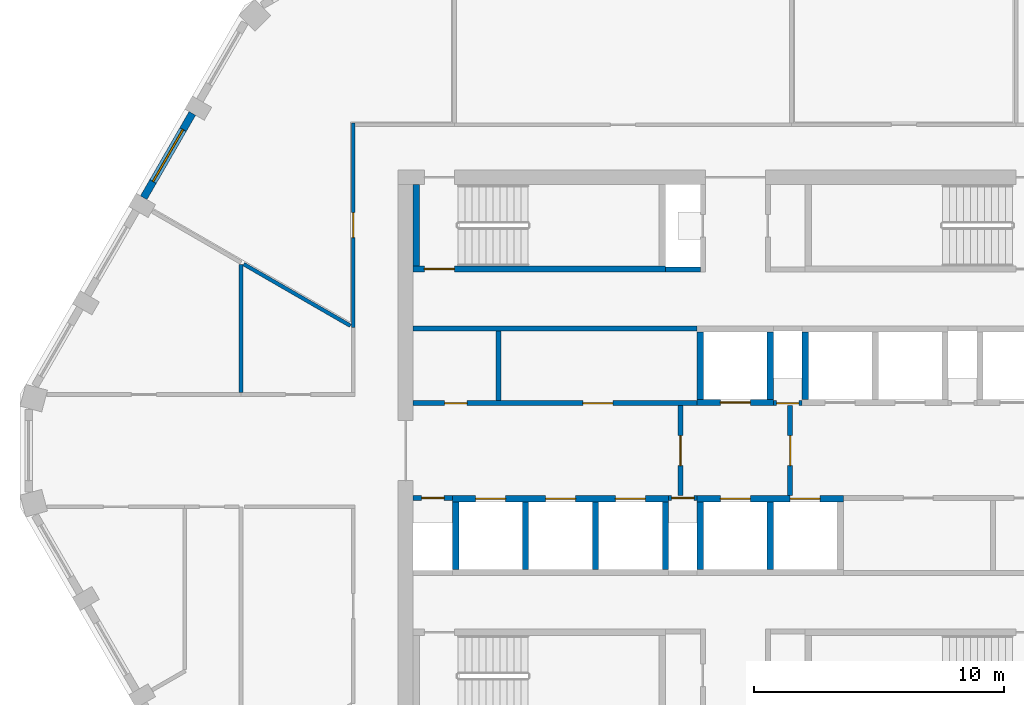
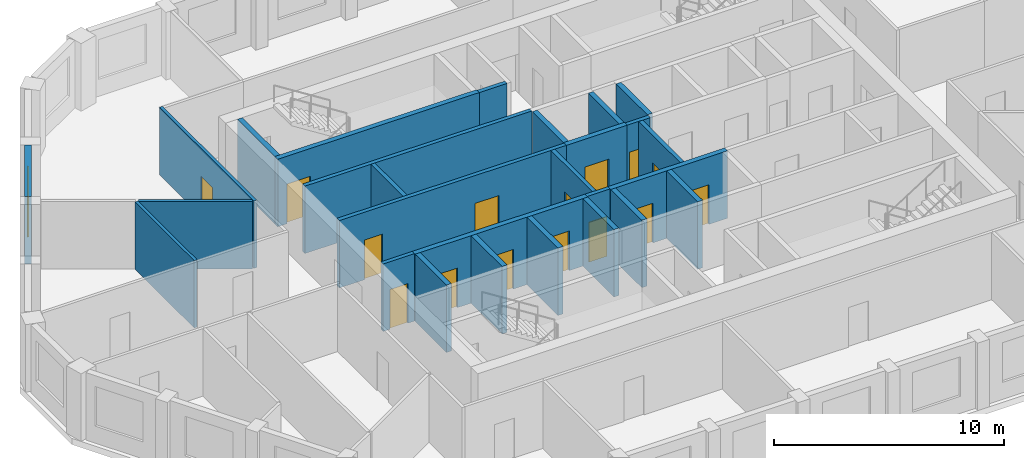
# One storey, part 3 of 10: 27 walls, 15 doors, 1 window, 16 openings.
"""IFC4 building model written with IfcOpenShell, lengths in metres."""

from ifc_helpers import new_model, si_unit, direction, frame, frame_2d, origin, place, context, subcontext, project, spatial, polyline, rectangle, outline, extrude, material, layer, layer_set, type_object, element, fill, save


model = new_model("IFC4")

# Units and contexts
model_context = context("Model", 3, precision=1e-05, world=origin(), true_north=direction((0.0, 1.0)))
body_context = subcontext(model_context, "Body", "Model", "MODEL_VIEW")
ifc_project = project(units=[si_unit("LENGTHUNIT", "METRE"), si_unit("AREAUNIT", "SQUARE_METRE"), si_unit("VOLUMEUNIT", "CUBIC_METRE"), si_unit("PLANEANGLEUNIT", "RADIAN"), si_unit("MASSUNIT", "GRAM", prefix="KILO")], contexts=[model_context])

# Site, building, storey
site_placement = place(None, origin())
site = spatial("IfcSite", under=ifc_project, at=site_placement, CompositionType="ELEMENT")
building_placement = place(site_placement, origin())
building = spatial("IfcBuilding", under=site, at=building_placement, Name="Dhurran Vertical Campus", CompositionType="ELEMENT")
storey_placement = place(building_placement, frame((0.0, 0.0, 302.10009765625)))
storey = spatial("IfcBuildingStorey", under=building, at=storey_placement, Name="L75", CompositionType="ELEMENT", Elevation=302.10009765625)

# Wall, opening, window
ifc_material_1 = material(Name="Precast concrete C50/60", Category="concrete")
ifc_layer_1 = layer(ifc_material_1, 0.300048828125)
ifc_layer_set_1 = layer_set([ifc_layer_1], Name="Precast concrete C50/60")
wall_type_1 = type_object("IfcWallType", Name="Precast spandrel wall 300", PredefinedType="SOLIDWALL", material=ifc_layer_set_1)
wall_1_placement = place(storey_placement, frame((-21.744384765625, 13.506103515625, 0.0), z_axis=(0.0, 0.0, 1.0), x_axis=(-0.499984428715, -0.866034393683, 0.0)))
wall_1 = element("IfcWall", 1, at=wall_1_placement, inside=storey, type_object=wall_type_1, Name="EW1 L75.27", PredefinedType="SOLIDWALL", context=body_context, shape_type="SweptSolid", body=[
    extrude(rectangle(XDim=3.89892578125, YDim=0.300048828125, at=frame_2d((1.949462890625, 0.0))), origin(), (0.0, 0.0, 1.0), 3.574951171875),
])
opening_1_placement = place(wall_1_placement, frame((0.74951171875, 0.0, 0.89990234375)))
opening_1 = element("IfcOpeningElement", 2, at=opening_1_placement, cuts=wall_1, Name="Opening WT1", PredefinedType="OPENING", context=body_context, shape_type="SweptSolid", body=[
    extrude(rectangle(XDim=2.39990234375, YDim=2.10009765625, at=frame_2d((1.199951171875, 1.050048828125))), frame((0.0, 0.159912109375, 0.0), z_axis=(0.0, -1.0, 0.0), x_axis=(1.0, 0.0, 0.0)), (0.0, 0.0, 1.0), 0.320068359375),
])
ifc_material_2 = material(Name="Aluminium frame with solar-control glass", Category="aluminium")
window_type = type_object("IfcWindowType", Name="Punched window 2400 x 2100", PartitioningType="SINGLE_PANEL", PredefinedType="WINDOW", material=ifc_material_2)
window_placement = place(opening_1_placement, origin())
window = element("IfcWindow", 3, at=window_placement, inside=storey, type_object=window_type, Name="WT1 L75.27", OverallHeight=2.10009765625, OverallWidth=2.39990234375, PartitioningType="SINGLE_PANEL", PredefinedType="WINDOW", context=body_context, shape_type="SweptSolid", body=[
    extrude(rectangle(XDim=2.39990234375, YDim=2.10009765625, at=frame_2d((1.199951171875, 1.050048828125))), frame((0.0, 0.030029296875, 0.0), z_axis=(0.0, -1.0, 0.0), x_axis=(1.0, 0.0, 0.0)), (0.0, 0.0, 1.0), 0.06005859375),
])
fill(opening_1, window)

# Wall, opening, door
ifc_material_3 = material(Name="Fire-rated masonry blockwork", Category="masonry")
ifc_layer_2 = layer(ifc_material_3, 0.199951171875)
ifc_layer_set_2 = layer_set([ifc_layer_2], Name="Fire-rated masonry blockwork")
wall_type_2 = type_object("IfcWallType", Name="co-FIRE-PARTITION-200", PredefinedType="PARTITIONING", material=ifc_layer_set_2)
wall_2_placement = place(storey_placement, frame((-2.199951171875, -1.800048828125, 0.0), z_axis=(0.0, 0.0, 1.0), x_axis=(0.0, 1.0, 0.0)))
wall_2 = element("IfcWall", 4, at=wall_2_placement, inside=storey, type_object=wall_type_2, Name="Firefighting lobby wall W L75", PredefinedType="PARTITIONING", context=body_context, shape_type="SweptSolid", body=[
    extrude(rectangle(XDim=3.60009765625, YDim=0.199951171875, at=frame_2d((1.800048828125, 0.0))), origin(), (0.0, 0.0, 1.0), 3.574951171875),
])
opening_2_placement = place(wall_2_placement, frame((1.199951171875, 0.0, 0.0)))
opening_2 = element("IfcOpeningElement", 5, at=opening_2_placement, cuts=wall_2, Name="Opening FL1", PredefinedType="OPENING", context=body_context, shape_type="SweptSolid", body=[
    extrude(rectangle(XDim=1.199951171875, YDim=2.10009765625, at=frame_2d((0.60009765625, 1.050048828125))), frame((0.0, 0.10986328125, 0.0), z_axis=(0.0, -1.0, 0.0), x_axis=(1.0, 0.0, 0.0)), (0.0, 0.0, 1.0), 0.219970703125),
])
ifc_material_4 = material(Name="Fire-rated steel door set", Category="steel")
door_type_1 = type_object("IfcDoorType", Name="co-D-FFLOBBY 1200x2100", OperationType="SINGLE_SWING_LEFT", PredefinedType="DOOR", material=ifc_material_4)
door_1_placement = place(opening_2_placement, origin())
door_1 = element("IfcDoor", 6, at=door_1_placement, inside=storey, type_object=door_type_1, Name="Firefighting lobby door W L75", OperationType="SINGLE_SWING_LEFT", OverallHeight=2.10009765625, OverallWidth=1.199951171875, PredefinedType="DOOR", context=body_context, shape_type="SweptSolid", body=[
    extrude(rectangle(XDim=1.199951171875, YDim=2.10009765625, at=frame_2d((0.60009765625, 1.050048828125))), frame((0.0, 0.02490234375, 0.0), z_axis=(0.0, -1.0, 0.0), x_axis=(1.0, 0.0, 0.0)), (0.0, 0.0, 1.0), 0.050048828125),
])
fill(opening_2, door_1)

wall_3_placement = place(storey_placement, frame((2.199951171875, -1.800048828125, 0.0), z_axis=(0.0, 0.0, 1.0), x_axis=(0.0, 1.0, 0.0)))
wall_3 = element("IfcWall", 7, at=wall_3_placement, inside=storey, type_object=wall_type_2, Name="Firefighting lobby wall E L75", PredefinedType="PARTITIONING", context=body_context, shape_type="SweptSolid", body=[
    extrude(rectangle(XDim=3.60009765625, YDim=0.199951171875, at=frame_2d((1.800048828125, 0.0))), origin(), (0.0, 0.0, 1.0), 3.574951171875),
])
opening_3_placement = place(wall_3_placement, frame((1.199951171875, 0.0, 0.0)))
opening_3 = element("IfcOpeningElement", 8, at=opening_3_placement, cuts=wall_3, Name="Opening FL2", PredefinedType="OPENING", context=body_context, shape_type="SweptSolid", body=[
    extrude(rectangle(XDim=1.199951171875, YDim=2.10009765625, at=frame_2d((0.60009765625, 1.050048828125))), frame((0.0, 0.10986328125, 0.0), z_axis=(0.0, -1.0, 0.0), x_axis=(1.0, 0.0, 0.0)), (0.0, 0.0, 1.0), 0.219970703125),
])
door_2_placement = place(opening_3_placement, origin())
door_2 = element("IfcDoor", 9, at=door_2_placement, inside=storey, type_object=door_type_1, Name="Firefighting lobby door E L75", OperationType="SINGLE_SWING_LEFT", OverallHeight=2.10009765625, OverallWidth=1.199951171875, PredefinedType="DOOR", context=body_context, shape_type="SweptSolid", body=[
    extrude(rectangle(XDim=1.199951171875, YDim=2.10009765625, at=frame_2d((0.60009765625, 1.050048828125))), frame((0.0, 0.02490234375, 0.0), z_axis=(0.0, -1.0, 0.0), x_axis=(1.0, 0.0, 0.0)), (0.0, 0.0, 1.0), 0.050048828125),
])
fill(opening_3, door_2)

# Walls
wall_4_placement = place(storey_placement, frame((-2.800048828125, 7.25, 0.0), z_axis=(0.0, 0.0, 1.0), x_axis=(1.0, 0.0, 0.0)))
element("IfcWall", 10, at=wall_4_placement, inside=storey, type_object=wall_type_2, Name="Core partition sl-NW-S L75", PredefinedType="PARTITIONING", context=body_context, shape_type="SweptSolid", body=[
    extrude(rectangle(XDim=1.400146484375, YDim=0.199951171875, at=frame_2d((0.7001953125, 0.0))), origin(), (0.0, 0.0, 1.0), 3.574951171875),
])
wall_5_placement = place(storey_placement, frame((-9.487548828125, 2.0, 0.0), z_axis=(0.0, 0.0, 1.0), x_axis=(0.0, 1.0, 0.0)))
element("IfcWall", 11, at=wall_5_placement, inside=storey, type_object=wall_type_2, Name="Core partition fr-N0-cut0 L75", PredefinedType="PARTITIONING", context=body_context, shape_type="SweptSolid", body=[
    extrude(rectangle(XDim=2.800048828125, YDim=0.199951171875, at=frame_2d((1.39990234375, 0.0))), origin(), (0.0, 0.0, 1.0), 3.574951171875),
])

# Wall, openings, doors
wall_6_placement = place(storey_placement, frame((-12.89990234375, 1.89990234375, 0.0), z_axis=(0.0, 0.0, 1.0), x_axis=(1.0, 0.0, 0.0)))
wall_6 = element("IfcWall", 12, at=wall_6_placement, inside=storey, type_object=wall_type_2, Name="Core partition fr-N0-f L75", PredefinedType="PARTITIONING", context=body_context, shape_type="SweptSolid", body=[
    extrude(rectangle(XDim=11.375, YDim=0.199951171875, at=frame_2d((5.6875, 0.0))), origin(), (0.0, 0.0, 1.0), 3.574951171875),
])
opening_4_placement = place(wall_6_placement, frame((1.25634765625, 0.0, 0.0)))
opening_4 = element("IfcOpeningElement", 13, at=opening_4_placement, cuts=wall_6, Name="Opening T22-C5", PredefinedType="OPENING", context=body_context, shape_type="SweptSolid", body=[
    extrude(rectangle(XDim=0.89990234375, YDim=2.10009765625, at=frame_2d((0.449951171875, 1.050048828125))), frame((0.0, 0.10986328125, 0.0), z_axis=(0.0, -1.0, 0.0), x_axis=(1.0, 0.0, 0.0)), (0.0, 0.0, 1.0), 0.219970703125),
])
opening_5_placement = place(wall_6_placement, frame((6.793701171875, 0.0, 0.0)))
opening_5 = element("IfcOpeningElement", 14, at=opening_5_placement, cuts=wall_6, Name="Opening T22-C6", PredefinedType="OPENING", context=body_context, shape_type="SweptSolid", body=[
    extrude(rectangle(XDim=1.199951171875, YDim=2.10009765625, at=frame_2d((0.60009765625, 1.050048828125))), frame((0.0, 0.10986328125, 0.0), z_axis=(0.0, -1.0, 0.0), x_axis=(1.0, 0.0, 0.0)), (0.0, 0.0, 1.0), 0.219970703125),
])
ifc_material_5 = material(Name="Fire-rated timber door set", Category="wood")
door_type_2 = type_object("IfcDoorType", Name="co-D-ROOM 900x2100", OperationType="SINGLE_SWING_LEFT", PredefinedType="DOOR", material=ifc_material_5)
door_3_placement = place(opening_4_placement, origin())
door_3 = element("IfcDoor", 15, at=door_3_placement, inside=storey, type_object=door_type_2, Name="Communications room door L75", OperationType="SINGLE_SWING_LEFT", OverallHeight=2.10009765625, OverallWidth=0.89990234375, PredefinedType="DOOR", context=body_context, shape_type="SweptSolid", body=[
    extrude(rectangle(XDim=0.89990234375, YDim=2.10009765625, at=frame_2d((0.449951171875, 1.050048828125))), frame((0.0, 0.02490234375, 0.0), z_axis=(0.0, -1.0, 0.0), x_axis=(1.0, 0.0, 0.0)), (0.0, 0.0, 1.0), 0.050048828125),
])
fill(opening_4, door_3)
ifc_material_6 = material(Name="Fire-rated steel door set", Category="steel")
door_type_3 = type_object("IfcDoorType", Name="co-D-ROOM-PASSAGE 1200x2100", OperationType="SINGLE_SWING_RIGHT", PredefinedType="DOOR", material=ifc_material_6)
door_4_placement = place(opening_5_placement, origin())
door_4 = element("IfcDoor", 16, at=door_4_placement, inside=storey, type_object=door_type_3, Name="Plant room door L75", OperationType="SINGLE_SWING_RIGHT", OverallHeight=2.10009765625, OverallWidth=1.199951171875, PredefinedType="DOOR", context=body_context, shape_type="SweptSolid", body=[
    extrude(rectangle(XDim=1.199951171875, YDim=2.10009765625, at=frame_2d((0.60009765625, 1.050048828125))), frame((0.0, 0.02490234375, 0.0), z_axis=(0.0, -1.0, 0.0), x_axis=(1.0, 0.0, 0.0)), (0.0, 0.0, 1.0), 0.050048828125),
])
fill(opening_5, door_4)

# Wall
wall_7_placement = place(storey_placement, frame((-12.89990234375, 4.89990234375, 0.0), z_axis=(0.0, 0.0, 1.0), x_axis=(1.0, 0.0, 0.0)))
element("IfcWall", 17, at=wall_7_placement, inside=storey, type_object=wall_type_2, Name="Core partition fr-N0-b L75", PredefinedType="PARTITIONING", context=body_context, shape_type="SweptSolid", body=[
    extrude(rectangle(XDim=11.375, YDim=0.199951171875, at=frame_2d((5.6875, 0.0))), origin(), (0.0, 0.0, 1.0), 3.574951171875),
])

# Wall, opening, door
wall_8_placement = place(storey_placement, frame((1.52490234375, 1.89990234375, 0.0), z_axis=(0.0, 0.0, 1.0), x_axis=(1.0, 0.0, 0.0)))
wall_8 = element("IfcWall", 18, at=wall_8_placement, inside=storey, type_object=wall_type_2, Name="Core partition fr-N1-f L75", PredefinedType="PARTITIONING", context=body_context, shape_type="SweptSolid", body=[
    extrude(rectangle(XDim=1.150146484375, YDim=0.199951171875, at=frame_2d((0.5751953125, 0.0))), origin(), (0.0, 0.0, 1.0), 3.574951171875),
])
opening_6_placement = place(wall_8_placement, frame((0.125, 0.0, 0.0)))
opening_6 = element("IfcOpeningElement", 19, at=opening_6_placement, cuts=wall_8, Name="Opening T22-C7", PredefinedType="OPENING", context=body_context, shape_type="SweptSolid", body=[
    extrude(rectangle(XDim=0.89990234375, YDim=2.10009765625, at=frame_2d((0.449951171875, 1.050048828125))), frame((0.0, 0.10986328125, 0.0), z_axis=(0.0, -1.0, 0.0), x_axis=(1.0, 0.0, 0.0)), (0.0, 0.0, 1.0), 0.219970703125),
])
door_5_placement = place(opening_6_placement, origin())
door_5 = element("IfcDoor", 20, at=door_5_placement, inside=storey, type_object=door_type_2, Name="Water riser door L75", OperationType="SINGLE_SWING_LEFT", OverallHeight=2.10009765625, OverallWidth=0.89990234375, PredefinedType="DOOR", context=body_context, shape_type="SweptSolid", body=[
    extrude(rectangle(XDim=0.89990234375, YDim=2.10009765625, at=frame_2d((0.449951171875, 1.050048828125))), frame((0.0, 0.02490234375, 0.0), z_axis=(0.0, -1.0, 0.0), x_axis=(1.0, 0.0, 0.0)), (0.0, 0.0, 1.0), 0.050048828125),
])
fill(opening_6, door_5)

wall_9_placement = place(storey_placement, frame((-12.89990234375, -1.89990234375, 0.0), z_axis=(0.0, 0.0, 1.0), x_axis=(1.0, 0.0, 0.0)))
wall_9 = element("IfcWall", 21, at=wall_9_placement, inside=storey, type_object=wall_type_2, Name="Core partition fr-S0-f L75", PredefinedType="PARTITIONING", context=body_context, shape_type="SweptSolid", body=[
    extrude(rectangle(XDim=1.574951171875, YDim=0.199951171875, at=frame_2d((0.78759765625, 0.0))), origin(), (0.0, 0.0, 1.0), 3.574951171875),
])
opening_7_placement = place(wall_9_placement, frame((0.33740234375, 0.0, 0.0)))
opening_7 = element("IfcOpeningElement", 22, at=opening_7_placement, cuts=wall_9, Name="Opening T22-C9", PredefinedType="OPENING", context=body_context, shape_type="SweptSolid", body=[
    extrude(rectangle(XDim=0.89990234375, YDim=2.10009765625, at=frame_2d((0.449951171875, 1.050048828125))), frame((0.0, 0.10986328125, 0.0), z_axis=(0.0, -1.0, 0.0), x_axis=(1.0, 0.0, 0.0)), (0.0, 0.0, 1.0), 0.219970703125),
])
door_6_placement = place(opening_7_placement, origin())
door_6 = element("IfcDoor", 23, at=door_6_placement, inside=storey, type_object=door_type_2, Name="Water riser door L75", OperationType="SINGLE_SWING_LEFT", OverallHeight=2.10009765625, OverallWidth=0.89990234375, PredefinedType="DOOR", context=body_context, shape_type="SweptSolid", body=[
    extrude(rectangle(XDim=0.89990234375, YDim=2.10009765625, at=frame_2d((0.449951171875, 1.050048828125))), frame((0.0, 0.02490234375, 0.0), z_axis=(0.0, -1.0, 0.0), x_axis=(1.0, 0.0, 0.0)), (0.0, 0.0, 1.0), 0.050048828125),
])
fill(opening_7, door_6)

wall_10_placement = place(storey_placement, frame((-2.675048828125, -1.89990234375, 0.0), z_axis=(0.0, 0.0, 1.0), x_axis=(1.0, 0.0, 0.0)))
wall_10 = element("IfcWall", 24, at=wall_10_placement, inside=storey, type_object=wall_type_2, Name="Core partition fr-S1-f L75", PredefinedType="PARTITIONING", context=body_context, shape_type="SweptSolid", body=[
    extrude(rectangle(XDim=1.150146484375, YDim=0.199951171875, at=frame_2d((0.5751953125, 0.0))), origin(), (0.0, 0.0, 1.0), 3.574951171875),
])
opening_8_placement = place(wall_10_placement, frame((0.125, 0.0, 0.0)))
opening_8 = element("IfcOpeningElement", 25, at=opening_8_placement, cuts=wall_10, Name="Opening T22-C10", PredefinedType="OPENING", context=body_context, shape_type="SweptSolid", body=[
    extrude(rectangle(XDim=0.89990234375, YDim=2.10009765625, at=frame_2d((0.449951171875, 1.050048828125))), frame((0.0, 0.10986328125, 0.0), z_axis=(0.0, -1.0, 0.0), x_axis=(1.0, 0.0, 0.0)), (0.0, 0.0, 1.0), 0.219970703125),
])
door_7_placement = place(opening_8_placement, origin())
door_7 = element("IfcDoor", 26, at=door_7_placement, inside=storey, type_object=door_type_2, Name="Electrical riser door L75", OperationType="SINGLE_SWING_LEFT", OverallHeight=2.10009765625, OverallWidth=0.89990234375, PredefinedType="DOOR", context=body_context, shape_type="SweptSolid", body=[
    extrude(rectangle(XDim=0.89990234375, YDim=2.10009765625, at=frame_2d((0.449951171875, 1.050048828125))), frame((0.0, 0.02490234375, 0.0), z_axis=(0.0, -1.0, 0.0), x_axis=(1.0, 0.0, 0.0)), (0.0, 0.0, 1.0), 0.050048828125),
])
fill(opening_8, door_7)

ifc_material_7 = material(Name="Concrete C50/60", Category="concrete")
ifc_layer_3 = layer(ifc_material_7, 0.25)
ifc_layer_set_3 = layer_set([ifc_layer_3], Name="Concrete C50/60")
wall_type_3 = type_object("IfcWallType", Name="co-SHAFT-FRONT-250", PredefinedType="SHEAR", material=ifc_layer_set_3)
wall_11_placement = place(storey_placement, frame((-1.52490234375, 1.925048828125, 0.0), z_axis=(0.0, 0.0, 1.0), x_axis=(1.0, 0.0, 0.0)))
wall_11 = element("IfcWall", 27, at=wall_11_placement, inside=storey, type_object=wall_type_3, Name="Lift landing wall N L75", PredefinedType="SHEAR", context=body_context, shape_type="SweptSolid", body=[
    extrude(rectangle(XDim=3.0498046875, YDim=0.25, at=frame_2d((1.52490234375, 0.0))), origin(), (0.0, 0.0, 1.0), 3.574951171875),
])
opening_9_placement = place(wall_11_placement, frame((0.925048828125, 0.0, 0.0)))
opening_9 = element("IfcOpeningElement", 28, at=opening_9_placement, cuts=wall_11, Name="Opening LD", PredefinedType="OPENING", context=body_context, shape_type="SweptSolid", body=[
    extrude(rectangle(XDim=1.199951171875, YDim=2.10009765625, at=frame_2d((0.60009765625, 1.050048828125))), frame((0.0, 0.135009765625, 0.0), z_axis=(0.0, -1.0, 0.0), x_axis=(1.0, 0.0, 0.0)), (0.0, 0.0, 1.0), 0.27001953125),
])
ifc_material_8 = material(Name="Stainless steel landing door", Category="steel")
door_type_4 = type_object("IfcDoorType", Name="co-D-LANDING 1200x2100", OperationType="DOUBLE_DOOR_SLIDING", PredefinedType="DOOR", material=ifc_material_8)
door_8_placement = place(opening_9_placement, origin())
door_8 = element("IfcDoor", 29, at=door_8_placement, inside=storey, type_object=door_type_4, Name="Landing door FF1 L75", OperationType="DOUBLE_DOOR_SLIDING", OverallHeight=2.10009765625, OverallWidth=1.199951171875, PredefinedType="DOOR", context=body_context, shape_type="SweptSolid", body=[
    extrude(rectangle(XDim=1.199951171875, YDim=2.10009765625, at=frame_2d((0.60009765625, 1.050048828125))), frame((0.0, 0.02490234375, 0.0), z_axis=(0.0, -1.0, 0.0), x_axis=(1.0, 0.0, 0.0)), (0.0, 0.0, 1.0), 0.050048828125),
])
fill(opening_9, door_8)

# Wall, openings, doors
wall_12_placement = place(storey_placement, frame((-11.324951171875, -1.925048828125, 0.0), z_axis=(0.0, 0.0, 1.0), x_axis=(1.0, 0.0, 0.0)))
wall_12 = element("IfcWall", 30, at=wall_12_placement, inside=storey, type_object=wall_type_3, Name="Lift landing wall S L75", PredefinedType="SHEAR", context=body_context, shape_type="SweptSolid", body=[
    extrude(rectangle(XDim=8.64990234375, YDim=0.25, at=frame_2d((4.324951171875, 0.0))), origin(), (0.0, 0.0, 1.0), 3.574951171875),
])
opening_10_placement = place(wall_12_placement, frame((0.925048828125, 0.0, 0.0)))
opening_10 = element("IfcOpeningElement", 31, at=opening_10_placement, cuts=wall_12, Name="Opening LD", PredefinedType="OPENING", context=body_context, shape_type="SweptSolid", body=[
    extrude(rectangle(XDim=1.199951171875, YDim=2.10009765625, at=frame_2d((0.60009765625, 1.050048828125))), frame((0.0, 0.135009765625, 0.0), z_axis=(0.0, -1.0, 0.0), x_axis=(1.0, 0.0, 0.0)), (0.0, 0.0, 1.0), 0.27001953125),
])
opening_11_placement = place(wall_12_placement, frame((3.72509765625, 0.0, 0.0)))
opening_11 = element("IfcOpeningElement", 32, at=opening_11_placement, cuts=wall_12, Name="Opening LD", PredefinedType="OPENING", context=body_context, shape_type="SweptSolid", body=[
    extrude(rectangle(XDim=1.199951171875, YDim=2.10009765625, at=frame_2d((0.60009765625, 1.050048828125))), frame((0.0, 0.135009765625, 0.0), z_axis=(0.0, -1.0, 0.0), x_axis=(1.0, 0.0, 0.0)), (0.0, 0.0, 1.0), 0.27001953125),
])
opening_12_placement = place(wall_12_placement, frame((6.52490234375, 0.0, 0.0)))
opening_12 = element("IfcOpeningElement", 33, at=opening_12_placement, cuts=wall_12, Name="Opening LD", PredefinedType="OPENING", context=body_context, shape_type="SweptSolid", body=[
    extrude(rectangle(XDim=1.199951171875, YDim=2.10009765625, at=frame_2d((0.60009765625, 1.050048828125))), frame((0.0, 0.135009765625, 0.0), z_axis=(0.0, -1.0, 0.0), x_axis=(1.0, 0.0, 0.0)), (0.0, 0.0, 1.0), 0.27001953125),
])
door_9_placement = place(opening_10_placement, origin())
door_9 = element("IfcDoor", 34, at=door_9_placement, inside=storey, type_object=door_type_4, Name="Landing door HR3 L75", OperationType="DOUBLE_DOOR_SLIDING", OverallHeight=2.10009765625, OverallWidth=1.199951171875, PredefinedType="DOOR", context=body_context, shape_type="SweptSolid", body=[
    extrude(rectangle(XDim=1.199951171875, YDim=2.10009765625, at=frame_2d((0.60009765625, 1.050048828125))), frame((0.0, 0.02490234375, 0.0), z_axis=(0.0, -1.0, 0.0), x_axis=(1.0, 0.0, 0.0)), (0.0, 0.0, 1.0), 0.050048828125),
])
fill(opening_10, door_9)
door_10_placement = place(opening_11_placement, origin())
door_10 = element("IfcDoor", 35, at=door_10_placement, inside=storey, type_object=door_type_4, Name="Landing door HR4 L75", OperationType="DOUBLE_DOOR_SLIDING", OverallHeight=2.10009765625, OverallWidth=1.199951171875, PredefinedType="DOOR", context=body_context, shape_type="SweptSolid", body=[
    extrude(rectangle(XDim=1.199951171875, YDim=2.10009765625, at=frame_2d((0.60009765625, 1.050048828125))), frame((0.0, 0.02490234375, 0.0), z_axis=(0.0, -1.0, 0.0), x_axis=(1.0, 0.0, 0.0)), (0.0, 0.0, 1.0), 0.050048828125),
])
fill(opening_11, door_10)
door_11_placement = place(opening_12_placement, origin())
door_11 = element("IfcDoor", 36, at=door_11_placement, inside=storey, type_object=door_type_4, Name="Landing door HR5 L75", OperationType="DOUBLE_DOOR_SLIDING", OverallHeight=2.10009765625, OverallWidth=1.199951171875, PredefinedType="DOOR", context=body_context, shape_type="SweptSolid", body=[
    extrude(rectangle(XDim=1.199951171875, YDim=2.10009765625, at=frame_2d((0.60009765625, 1.050048828125))), frame((0.0, 0.02490234375, 0.0), z_axis=(0.0, -1.0, 0.0), x_axis=(1.0, 0.0, 0.0)), (0.0, 0.0, 1.0), 0.050048828125),
])
fill(opening_12, door_11)

wall_13_placement = place(storey_placement, frame((-1.52490234375, -1.925048828125, 0.0), z_axis=(0.0, 0.0, 1.0), x_axis=(1.0, 0.0, 0.0)))
wall_13 = element("IfcWall", 37, at=wall_13_placement, inside=storey, type_object=wall_type_3, Name="Lift landing wall S L75", PredefinedType="SHEAR", context=body_context, shape_type="SweptSolid", body=[
    extrude(rectangle(XDim=5.849853515625, YDim=0.25, at=frame_2d((2.9248046875, 0.0))), origin(), (0.0, 0.0, 1.0), 3.574951171875),
])
opening_13_placement = place(wall_13_placement, frame((0.925048828125, 0.0, 0.0)))
opening_13 = element("IfcOpeningElement", 38, at=opening_13_placement, cuts=wall_13, Name="Opening LD", PredefinedType="OPENING", context=body_context, shape_type="SweptSolid", body=[
    extrude(rectangle(XDim=1.199951171875, YDim=2.10009765625, at=frame_2d((0.60009765625, 1.050048828125))), frame((0.0, 0.135009765625, 0.0), z_axis=(0.0, -1.0, 0.0), x_axis=(1.0, 0.0, 0.0)), (0.0, 0.0, 1.0), 0.27001953125),
])
opening_14_placement = place(wall_13_placement, frame((3.72509765625, 0.0, 0.0)))
opening_14 = element("IfcOpeningElement", 39, at=opening_14_placement, cuts=wall_13, Name="Opening LD", PredefinedType="OPENING", context=body_context, shape_type="SweptSolid", body=[
    extrude(rectangle(XDim=1.199951171875, YDim=2.10009765625, at=frame_2d((0.60009765625, 1.050048828125))), frame((0.0, 0.135009765625, 0.0), z_axis=(0.0, -1.0, 0.0), x_axis=(1.0, 0.0, 0.0)), (0.0, 0.0, 1.0), 0.27001953125),
])
door_12_placement = place(opening_13_placement, origin())
door_12 = element("IfcDoor", 40, at=door_12_placement, inside=storey, type_object=door_type_4, Name="Landing door FF2 L75", OperationType="DOUBLE_DOOR_SLIDING", OverallHeight=2.10009765625, OverallWidth=1.199951171875, PredefinedType="DOOR", context=body_context, shape_type="SweptSolid", body=[
    extrude(rectangle(XDim=1.199951171875, YDim=2.10009765625, at=frame_2d((0.60009765625, 1.050048828125))), frame((0.0, 0.02490234375, 0.0), z_axis=(0.0, -1.0, 0.0), x_axis=(1.0, 0.0, 0.0)), (0.0, 0.0, 1.0), 0.050048828125),
])
fill(opening_13, door_12)
door_13_placement = place(opening_14_placement, origin())
door_13 = element("IfcDoor", 41, at=door_13_placement, inside=storey, type_object=door_type_4, Name="Landing door SV1 L75", OperationType="DOUBLE_DOOR_SLIDING", OverallHeight=2.10009765625, OverallWidth=1.199951171875, PredefinedType="DOOR", context=body_context, shape_type="SweptSolid", body=[
    extrude(rectangle(XDim=1.199951171875, YDim=2.10009765625, at=frame_2d((0.60009765625, 1.050048828125))), frame((0.0, 0.02490234375, 0.0), z_axis=(0.0, -1.0, 0.0), x_axis=(1.0, 0.0, 0.0)), (0.0, 0.0, 1.0), 0.050048828125),
])
fill(opening_14, door_13)

# Walls
ifc_material_9 = material(Name="Concrete C50/60", Category="concrete")
ifc_layer_4 = layer(ifc_material_9, 0.25)
ifc_layer_set_4 = layer_set([ifc_layer_4], Name="Concrete C50/60")
wall_type_4 = type_object("IfcWallType", Name="co-SHAFT-MASS-250", PredefinedType="SHEAR", material=ifc_layer_set_4)
wall_14_placement = place(storey_placement, origin())
element("IfcWall", 42, at=wall_14_placement, inside=storey, type_object=wall_type_4, Name="Lift shaft wall N L75 4", PredefinedType="SHEAR", context=body_context, shape_type="SweptSolid", body=[
    extrude(outline(polyline([(-1.52490234375, 2.050048828125), (-1.27490234375, 2.050048828125), (-1.27490234375, 4.75), (-1.52490234375, 4.75), (-1.52490234375, 2.050048828125)])), origin(), (0.0, 0.0, 1.0), 3.574951171875),
])
wall_15_placement = place(storey_placement, origin())
element("IfcWall", 43, at=wall_15_placement, inside=storey, type_object=wall_type_4, Name="Lift shaft wall N L75 5", PredefinedType="SHEAR", context=body_context, shape_type="SweptSolid", body=[
    extrude(outline(polyline([(1.27490234375, 2.050048828125), (1.52490234375, 2.050048828125), (1.52490234375, 4.75), (1.27490234375, 4.75), (1.27490234375, 2.050048828125)])), origin(), (0.0, 0.0, 1.0), 3.574951171875),
])
wall_16_placement = place(storey_placement, origin())
element("IfcWall", 44, at=wall_16_placement, inside=storey, type_object=wall_type_4, Name="Lift shaft wall N L75 6", PredefinedType="SHEAR", context=body_context, shape_type="SweptSolid", body=[
    extrude(outline(polyline([(2.675048828125, 2.050048828125), (2.925048828125, 2.050048828125), (2.925048828125, 4.75), (2.675048828125, 4.75), (2.675048828125, 2.050048828125)])), origin(), (0.0, 0.0, 1.0), 3.574951171875),
])
wall_17_placement = place(storey_placement, origin())
element("IfcWall", 45, at=wall_17_placement, inside=storey, type_object=wall_type_4, Name="Lift shaft wall S L75 3", PredefinedType="SHEAR", context=body_context, shape_type="SweptSolid", body=[
    extrude(outline(polyline([(-11.324951171875, -4.75), (-11.074951171875, -4.75), (-11.074951171875, -2.050048828125), (-11.324951171875, -2.050048828125), (-11.324951171875, -4.75)])), origin(), (0.0, 0.0, 1.0), 3.574951171875),
])
wall_18_placement = place(storey_placement, origin())
element("IfcWall", 46, at=wall_18_placement, inside=storey, type_object=wall_type_4, Name="Lift shaft wall S L75 4", PredefinedType="SHEAR", context=body_context, shape_type="SweptSolid", body=[
    extrude(outline(polyline([(-8.52490234375, -4.75), (-8.27490234375, -4.75), (-8.27490234375, -2.050048828125), (-8.52490234375, -2.050048828125), (-8.52490234375, -4.75)])), origin(), (0.0, 0.0, 1.0), 3.574951171875),
])
wall_19_placement = place(storey_placement, origin())
element("IfcWall", 47, at=wall_19_placement, inside=storey, type_object=wall_type_4, Name="Lift shaft wall S L75 5", PredefinedType="SHEAR", context=body_context, shape_type="SweptSolid", body=[
    extrude(outline(polyline([(-5.72509765625, -4.75), (-5.47509765625, -4.75), (-5.47509765625, -2.050048828125), (-5.72509765625, -2.050048828125), (-5.72509765625, -4.75)])), origin(), (0.0, 0.0, 1.0), 3.574951171875),
])
wall_20_placement = place(storey_placement, origin())
element("IfcWall", 48, at=wall_20_placement, inside=storey, type_object=wall_type_4, Name="Lift shaft wall S L75 6", PredefinedType="SHEAR", context=body_context, shape_type="SweptSolid", body=[
    extrude(outline(polyline([(-2.925048828125, -4.75), (-2.675048828125, -4.75), (-2.675048828125, -2.050048828125), (-2.925048828125, -2.050048828125), (-2.925048828125, -4.75)])), origin(), (0.0, 0.0, 1.0), 3.574951171875),
])
wall_21_placement = place(storey_placement, origin())
element("IfcWall", 49, at=wall_21_placement, inside=storey, type_object=wall_type_4, Name="Lift shaft wall S L75 7", PredefinedType="SHEAR", context=body_context, shape_type="SweptSolid", body=[
    extrude(outline(polyline([(-1.52490234375, -4.75), (-1.27490234375, -4.75), (-1.27490234375, -2.050048828125), (-1.52490234375, -2.050048828125), (-1.52490234375, -4.75)])), origin(), (0.0, 0.0, 1.0), 3.574951171875),
])
wall_22_placement = place(storey_placement, origin())
element("IfcWall", 50, at=wall_22_placement, inside=storey, type_object=wall_type_4, Name="Lift shaft wall S L75 8", PredefinedType="SHEAR", context=body_context, shape_type="SweptSolid", body=[
    extrude(outline(polyline([(1.27490234375, -4.75), (1.52490234375, -4.75), (1.52490234375, -2.050048828125), (1.27490234375, -2.050048828125), (1.27490234375, -4.75)])), origin(), (0.0, 0.0, 1.0), 3.574951171875),
])

# Wall, opening, door
ifc_material_10 = material(Name="Concrete C40/50", Category="concrete")
ifc_layer_5 = layer(ifc_material_10, 0.25)
ifc_layer_set_5 = layer_set([ifc_layer_5], Name="Concrete C40/50")
wall_type_5 = type_object("IfcWallType", Name="co-STAIR-WALL-250", PredefinedType="SHEAR", material=ifc_layer_set_5)
wall_23_placement = place(storey_placement, frame((-12.89990234375, 7.27490234375, 0.0), z_axis=(0.0, 0.0, 1.0), x_axis=(1.0, 0.0, 0.0)))
wall_23 = element("IfcWall", 51, at=wall_23_placement, inside=storey, type_object=wall_type_5, Name="Stair ST1 enclosure wall L75", PredefinedType="SHEAR", context=body_context, shape_type="SweptSolid", body=[
    extrude(rectangle(XDim=10.099853515625, YDim=0.25, at=frame_2d((5.0498046875, 0.0))), origin(), (0.0, 0.0, 1.0), 3.574951171875),
])
opening_15_placement = place(wall_23_placement, frame((0.449951171875, 0.0, 0.0)))
opening_15 = element("IfcOpeningElement", 52, at=opening_15_placement, cuts=wall_23, Name="Opening SD1", PredefinedType="OPENING", context=body_context, shape_type="SweptSolid", body=[
    extrude(rectangle(XDim=1.199951171875, YDim=2.10009765625, at=frame_2d((0.60009765625, 1.050048828125))), frame((0.0, 0.135009765625, 0.0), z_axis=(0.0, -1.0, 0.0), x_axis=(1.0, 0.0, 0.0)), (0.0, 0.0, 1.0), 0.27001953125),
])
ifc_material_11 = material(Name="Fire-rated steel door set", Category="steel")
door_type_5 = type_object("IfcDoorType", Name="co-D-STAIR 1200x2100", OperationType="SINGLE_SWING_LEFT", PredefinedType="DOOR", material=ifc_material_11)
door_14_placement = place(opening_15_placement, origin())
door_14 = element("IfcDoor", 53, at=door_14_placement, inside=storey, type_object=door_type_5, Name="Stair ST1 door L75", OperationType="SINGLE_SWING_LEFT", OverallHeight=2.10009765625, OverallWidth=1.199951171875, PredefinedType="DOOR", context=body_context, shape_type="SweptSolid", body=[
    extrude(rectangle(XDim=1.199951171875, YDim=2.10009765625, at=frame_2d((0.60009765625, 1.050048828125))), frame((0.0, 0.02490234375, 0.0), z_axis=(0.0, -1.0, 0.0), x_axis=(1.0, 0.0, 0.0)), (0.0, 0.0, 1.0), 0.050048828125),
])
fill(opening_15, door_14)

# Wall
wall_24_placement = place(storey_placement, frame((-12.77490234375, 7.39990234375, 0.0), z_axis=(0.0, 0.0, 1.0), x_axis=(0.0, 1.0, 0.0)))
element("IfcWall", 54, at=wall_24_placement, inside=storey, type_object=wall_type_5, Name="Stair ST1 enclosure wall L75", PredefinedType="SHEAR", context=body_context, shape_type="SweptSolid", body=[
    extrude(rectangle(XDim=3.25, YDim=0.25, at=frame_2d((1.625, 0.0))), origin(), (0.0, 0.0, 1.0), 3.574951171875),
])

# Wall, opening, door
ifc_material_12 = material(Name="Gypsum board corridor wall on steel studs", Category="steel")
ifc_layer_6 = layer(ifc_material_12, 0.14990234375)
ifc_layer_set_6 = layer_set([ifc_layer_6], Name="Gypsum board corridor wall on steel studs")
wall_type_6 = type_object("IfcWallType", Name="fl-CW-150 corridor wall", PredefinedType="PARTITIONING", material=ifc_layer_set_6)
wall_25_placement = place(storey_placement, frame((-15.300048828125, 13.125, 0.0), z_axis=(0.0, 0.0, 1.0), x_axis=(0.0, -1.0, 0.0)))
wall_25 = element("IfcWall", 55, at=wall_25_placement, inside=storey, type_object=wall_type_6, Name="Partition 75-18", PredefinedType="PARTITIONING", context=body_context, shape_type="SweptSolid", body=[
    extrude(rectangle(XDim=8.18896484375, YDim=0.14990234375, at=frame_2d((4.094482421875, 0.0))), origin(), (0.0, 0.0, 1.0), 3.574951171875),
])
opening_16_placement = place(wall_25_placement, frame((3.594482421875, 0.0, 0.0)))
opening_16 = element("IfcOpeningElement", 56, at=opening_16_placement, cuts=wall_25, Name="Opening T22.06", PredefinedType="OPENING", context=body_context, shape_type="SweptSolid", body=[
    extrude(rectangle(XDim=1.0, YDim=2.10009765625, at=frame_2d((0.5, 1.050048828125))), frame((0.0, 0.0849609375, 0.0), z_axis=(0.0, -1.0, 0.0), x_axis=(1.0, 0.0, 0.0)), (0.0, 0.0, 1.0), 0.169921875),
])
ifc_material_13 = material(Name="Solid-core timber door set, fire-rated", Category="wood")
door_type_6 = type_object("IfcDoorType", Name="fl-D-1000x2100", OperationType="SINGLE_SWING_LEFT", PredefinedType="DOOR", material=ifc_material_13)
door_15_placement = place(opening_16_placement, origin())
door_15 = element("IfcDoor", 57, at=door_15_placement, inside=storey, type_object=door_type_6, Name="Door 75.06", OperationType="SINGLE_SWING_LEFT", OverallHeight=2.10009765625, OverallWidth=1.0, PredefinedType="DOOR", context=body_context, shape_type="SweptSolid", body=[
    extrude(rectangle(XDim=1.0, YDim=2.10009765625, at=frame_2d((0.5, 1.050048828125))), frame((0.0, 0.02490234375, 0.0), z_axis=(0.0, -1.0, 0.0), x_axis=(1.0, 0.0, 0.0)), (0.0, 0.0, 1.0), 0.050048828125),
])
fill(opening_16, door_15)

# Walls
ifc_material_14 = material(Name="Gypsum board partition on steel studs", Category="steel")
ifc_layer_7 = layer(ifc_material_14, 0.14990234375)
ifc_layer_set_7 = layer_set([ifc_layer_7], Name="Gypsum board partition on steel studs")
wall_type_7 = type_object("IfcWallType", Name="fl-PW-150 fixed partition", PredefinedType="PARTITIONING", material=ifc_layer_set_7)
wall_26_placement = place(storey_placement, frame((-19.800048828125, 7.458984375, 0.0), z_axis=(0.0, 0.0, 1.0), x_axis=(0.0, -1.0, 0.0)))
element("IfcWall", 58, at=wall_26_placement, inside=storey, type_object=wall_type_7, Name="Partition 75-10", PredefinedType="PARTITIONING", context=body_context, shape_type="SweptSolid", body=[
    extrude(rectangle(XDim=5.134033203125, YDim=0.14990234375, at=frame_2d((2.56689453125, 0.0))), origin(), (0.0, 0.0, 1.0), 3.574951171875),
])
wall_27_placement = place(storey_placement, frame((-19.6875, 7.468994140625, 0.0), z_axis=(0.0, 0.0, 1.0), x_axis=(0.866034039096, -0.499985042903, 0.0)))
element("IfcWall", 59, at=wall_27_placement, inside=storey, type_object=wall_type_7, Name="Partition 75-12", PredefinedType="PARTITIONING", context=body_context, shape_type="SweptSolid", body=[
    extrude(rectangle(XDim=4.936279296875, YDim=0.14990234375, at=frame_2d((2.46826171875, 0.0))), origin(), (0.0, 0.0, 1.0), 3.574951171875),
])

save(model, "model.ifc")
